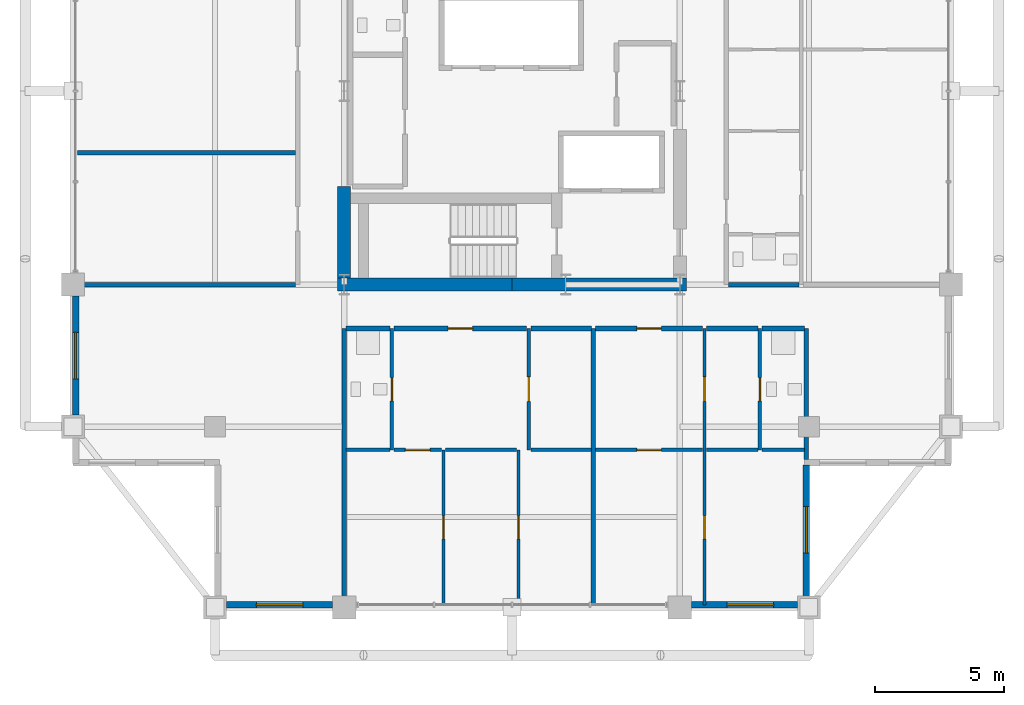
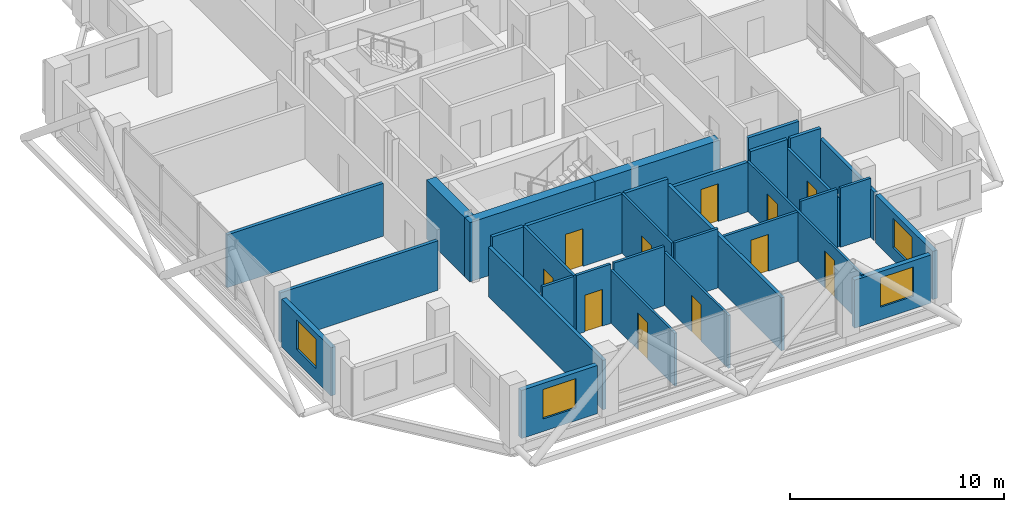
# One storey, part 19 of 24: 32 walls, 11 doors, 4 windows, 15 openings.
"""IFC4 building model written with IfcOpenShell, lengths in metres."""

from ifc_helpers import new_model, si_unit, direction, frame, frame_2d, origin, place, context, subcontext, project, spatial, rectangle, extrude, material, layer, layer_set, type_object, element, fill, save


model = new_model("IFC4")

# Units and contexts
model_context = context("Model", 3, precision=1e-05, world=origin(), true_north=direction((0.0, 1.0)))
body_context = subcontext(model_context, "Body", "Model", "MODEL_VIEW")
ifc_project = project(units=[si_unit("LENGTHUNIT", "METRE"), si_unit("AREAUNIT", "SQUARE_METRE"), si_unit("VOLUMEUNIT", "CUBIC_METRE"), si_unit("PLANEANGLEUNIT", "RADIAN"), si_unit("MASSUNIT", "GRAM", prefix="KILO")], contexts=[model_context])

# Site, building, storey
site_placement = place(None, origin())
site = spatial("IfcSite", under=ifc_project, at=site_placement, CompositionType="ELEMENT")
building_placement = place(site_placement, origin())
building = spatial("IfcBuilding", under=site, at=building_placement, Name="Barlavira Tower and Art Museum", CompositionType="ELEMENT")
storey_placement = place(building_placement, frame((0.0, 0.0, 240.300048828125)))
storey = spatial("IfcBuildingStorey", under=building, at=storey_placement, Name="L62", CompositionType="ELEMENT", Elevation=240.300048828125)

# Wall, opening, door
ifc_material_1 = material(Name="Gypsum acoustic stud partition", Category="gypsum")
ifc_layer_1 = layer(ifc_material_1, 0.1201171875, Name="Gypsum acoustic stud partition")
ifc_layer_set_1 = layer_set([ifc_layer_1], Name="Gypsum acoustic stud partition")
wall_type_1 = type_object("IfcWallType", Name="Apartment Internal Acoustic Partition 120", PredefinedType="PARTITIONING", material=ifc_layer_set_1)
wall_1_placement = place(storey_placement, frame((-2.64990234375, -19.89990234375, 0.0), z_axis=(0.0, 0.0, 1.0), x_axis=(0.0, 1.0, 0.0)))
wall_1 = element("IfcWall", 1, at=wall_1_placement, inside=storey, type_object=wall_type_1, Name="L62 Partition Wall 9", PredefinedType="PARTITIONING", context=body_context, shape_type="SweptSolid", body=[
    extrude(rectangle(XDim=6.0, YDim=0.1201171875, at=frame_2d((3.0, 0.0))), origin(), (0.0, 0.0, 1.0), 3.01806640625),
])
opening_1_placement = place(wall_1_placement, frame((2.550048828125, 0.0, 0.0)))
opening_1 = element("IfcOpeningElement", 2, at=opening_1_placement, cuts=wall_1, Name="Opening D-01", PredefinedType="OPENING", context=body_context, shape_type="SweptSolid", body=[
    extrude(rectangle(XDim=0.89990234375, YDim=2.10009765625, at=frame_2d((0.449951171875, 1.050048828125))), frame((0.0, 0.070068359375, 0.0), z_axis=(0.0, -1.0, 0.0), x_axis=(1.0, 0.0, 0.0)), (0.0, 0.0, 1.0), 0.14013671875),
])
ifc_material_2 = material(Name="Engineered coastal hardwood", Category="wood")
door_type_1 = type_object("IfcDoorType", Name="Internal Bedroom Timber Flush Door 900x2100", OperationType="NOTDEFINED", PredefinedType="DOOR", material=ifc_material_2)
door_1_placement = place(opening_1_placement, origin())
door_1 = element("IfcDoor", 3, at=door_1_placement, inside=storey, type_object=door_type_1, Name="Apartment S1 Bedroom 1 Door", OperationType="SINGLE_SWING_LEFT", OverallHeight=2.10009765625, OverallWidth=0.89990234375, PredefinedType="DOOR", context=body_context, shape_type="SweptSolid", body=[
    extrude(rectangle(XDim=0.89990234375, YDim=2.10009765625, at=frame_2d((0.449951171875, 1.050048828125))), frame((0.0, 0.02490234375, 0.0), z_axis=(0.0, -1.0, 0.0), x_axis=(1.0, 0.0, 0.0)), (0.0, 0.0, 1.0), 0.050048828125),
])
fill(opening_1, door_1)

wall_2_placement = place(storey_placement, frame((0.25, -19.89990234375, 0.0), z_axis=(0.0, 0.0, 1.0), x_axis=(0.0, 1.0, 0.0)))
wall_2 = element("IfcWall", 4, at=wall_2_placement, inside=storey, type_object=wall_type_1, Name="L62 Partition Wall 11", PredefinedType="PARTITIONING", context=body_context, shape_type="SweptSolid", body=[
    extrude(rectangle(XDim=6.0, YDim=0.1201171875, at=frame_2d((3.0, 0.0))), origin(), (0.0, 0.0, 1.0), 3.01806640625),
])
opening_2_placement = place(wall_2_placement, frame((2.550048828125, 0.0, 0.0)))
opening_2 = element("IfcOpeningElement", 5, at=opening_2_placement, cuts=wall_2, Name="Opening D-01", PredefinedType="OPENING", context=body_context, shape_type="SweptSolid", body=[
    extrude(rectangle(XDim=0.89990234375, YDim=2.10009765625, at=frame_2d((0.449951171875, 1.050048828125))), frame((0.0, 0.070068359375, 0.0), z_axis=(0.0, -1.0, 0.0), x_axis=(1.0, 0.0, 0.0)), (0.0, 0.0, 1.0), 0.14013671875),
])
door_2_placement = place(opening_2_placement, origin())
door_2 = element("IfcDoor", 6, at=door_2_placement, inside=storey, type_object=door_type_1, Name="Apartment S1 Bedroom 2 Door", OperationType="SINGLE_SWING_RIGHT", OverallHeight=2.10009765625, OverallWidth=0.89990234375, PredefinedType="DOOR", context=body_context, shape_type="SweptSolid", body=[
    extrude(rectangle(XDim=0.89990234375, YDim=2.10009765625, at=frame_2d((0.449951171875, 1.050048828125))), frame((0.0, 0.02490234375, 0.0), z_axis=(0.0, -1.0, 0.0), x_axis=(1.0, 0.0, 0.0)), (0.0, 0.0, 1.0), 0.050048828125),
])
fill(opening_2, door_2)

wall_3_placement = place(storey_placement, frame((0.64990234375, -13.89990234375, 0.0), z_axis=(0.0, 0.0, 1.0), x_axis=(0.0, 1.0, 0.0)))
wall_3 = element("IfcWall", 7, at=wall_3_placement, inside=storey, type_object=wall_type_1, Name="L62 Partition Wall 13", PredefinedType="PARTITIONING", context=body_context, shape_type="SweptSolid", body=[
    extrude(rectangle(XDim=4.699951171875, YDim=0.1201171875, at=frame_2d((2.35009765625, 0.0))), origin(), (0.0, 0.0, 1.0), 3.3798828125),
])
opening_3_placement = place(wall_3_placement, frame((1.875, 0.0, 0.0)))
opening_3 = element("IfcOpeningElement", 8, at=opening_3_placement, cuts=wall_3, Name="Opening D-02", PredefinedType="OPENING", context=body_context, shape_type="SweptSolid", body=[
    extrude(rectangle(XDim=0.949951171875, YDim=2.10009765625, at=frame_2d((0.47509765625, 1.050048828125))), frame((0.0, 0.070068359375, 0.0), z_axis=(0.0, -1.0, 0.0), x_axis=(1.0, 0.0, 0.0)), (0.0, 0.0, 1.0), 0.14013671875),
])
door_type_2 = type_object("IfcDoorType", Name="Living and Salon Glazed-Leaf Door 950x2100", OperationType="NOTDEFINED", PredefinedType="DOOR", material=ifc_material_2)
door_3_placement = place(opening_3_placement, origin())
door_3 = element("IfcDoor", 9, at=door_3_placement, inside=storey, type_object=door_type_2, Name="Apartment S1 Kitchen Door", OperationType="SINGLE_SWING_LEFT", OverallHeight=2.10009765625, OverallWidth=0.949951171875, PredefinedType="DOOR", context=body_context, shape_type="SweptSolid", body=[
    extrude(rectangle(XDim=0.949951171875, YDim=2.10009765625, at=frame_2d((0.47509765625, 1.050048828125))), frame((0.0, 0.02490234375, 0.0), z_axis=(0.0, -1.0, 0.0), x_axis=(1.0, 0.0, 0.0)), (0.0, 0.0, 1.0), 0.050048828125),
])
fill(opening_3, door_3)

# Wall, openings, doors
wall_4_placement = place(storey_placement, frame((7.449951171875, -19.89990234375, 0.0), z_axis=(0.0, 0.0, 1.0), x_axis=(0.0, 1.0, 0.0)))
wall_4 = element("IfcWall", 10, at=wall_4_placement, inside=storey, type_object=wall_type_1, Name="L62 Partition Wall 20", PredefinedType="PARTITIONING", context=body_context, shape_type="SweptSolid", body=[
    extrude(rectangle(XDim=10.699951171875, YDim=0.1201171875, at=frame_2d((5.35009765625, 0.0))), origin(), (0.0, 0.0, 1.0), 2.825927734375),
])
opening_4_placement = place(wall_4_placement, frame((7.875, 0.0, 0.0)))
opening_4 = element("IfcOpeningElement", 11, at=opening_4_placement, cuts=wall_4, Name="Opening D-02", PredefinedType="OPENING", context=body_context, shape_type="SweptSolid", body=[
    extrude(rectangle(XDim=0.949951171875, YDim=2.10009765625, at=frame_2d((0.47509765625, 1.050048828125))), frame((0.0, 0.070068359375, 0.0), z_axis=(0.0, -1.0, 0.0), x_axis=(1.0, 0.0, 0.0)), (0.0, 0.0, 1.0), 0.14013671875),
])
opening_5_placement = place(wall_4_placement, frame((2.550048828125, 0.0, 0.0)))
opening_5 = element("IfcOpeningElement", 12, at=opening_5_placement, cuts=wall_4, Name="Opening D-01", PredefinedType="OPENING", context=body_context, shape_type="SweptSolid", body=[
    extrude(rectangle(XDim=0.89990234375, YDim=2.10009765625, at=frame_2d((0.449951171875, 1.050048828125))), frame((0.0, 0.070068359375, 0.0), z_axis=(0.0, -1.0, 0.0), x_axis=(1.0, 0.0, 0.0)), (0.0, 0.0, 1.0), 0.14013671875),
])
door_4_placement = place(opening_5_placement, origin())
door_4 = element("IfcDoor", 13, at=door_4_placement, inside=storey, type_object=door_type_1, Name="Apartment S2 Bedroom 1 Door", OperationType="SINGLE_SWING_LEFT", OverallHeight=2.10009765625, OverallWidth=0.89990234375, PredefinedType="DOOR", context=body_context, shape_type="SweptSolid", body=[
    extrude(rectangle(XDim=0.89990234375, YDim=2.10009765625, at=frame_2d((0.449951171875, 1.050048828125))), frame((0.0, 0.02490234375, 0.0), z_axis=(0.0, -1.0, 0.0), x_axis=(1.0, 0.0, 0.0)), (0.0, 0.0, 1.0), 0.050048828125),
])
fill(opening_5, door_4)
door_5_placement = place(opening_4_placement, origin())
door_5 = element("IfcDoor", 14, at=door_5_placement, inside=storey, type_object=door_type_2, Name="Apartment S2 Kitchen Door", OperationType="SINGLE_SWING_RIGHT", OverallHeight=2.10009765625, OverallWidth=0.949951171875, PredefinedType="DOOR", context=body_context, shape_type="SweptSolid", body=[
    extrude(rectangle(XDim=0.949951171875, YDim=2.10009765625, at=frame_2d((0.47509765625, 1.050048828125))), frame((0.0, 0.02490234375, 0.0), z_axis=(0.0, -1.0, 0.0), x_axis=(1.0, 0.0, 0.0)), (0.0, 0.0, 1.0), 0.050048828125),
])
fill(opening_4, door_5)

# Walls
ifc_material_3 = material(Name="Concrete C60", Category="concrete")
ifc_layer_2 = layer(ifc_material_3, 0.5, Name="Concrete C60")
ifc_layer_set_2 = layer_set([ifc_layer_2], Name="Concrete C60")
wall_type_2 = type_object("IfcWallType", Name="Core Structural Shear Wall 500 Concrete C60", PredefinedType="SHEAR", material=ifc_layer_set_2)
for number, where, z_axis, x_axis, name in (
    (15, (-6.75, -7.5, 0.0), (0.0, 0.0, 1.0), (1.0, 0.0, 0.0), "L62 Core Shear Wall CS-SW"),
    (16, (0.0, -7.5, 0.0), (0.0, 0.0, 1.0), (1.0, 0.0, 0.0), "L62 Core Shear Wall CS-SE"),
):
    element("IfcWall", number, at=place(storey_placement, frame(where, z_axis=z_axis, x_axis=x_axis)), inside=storey, type_object=wall_type_2, Name=name, PredefinedType="SHEAR", context=body_context, shape_type="SweptSolid", body=[
        extrude(rectangle(XDim=6.75, YDim=0.5, at=frame_2d((3.375, 0.0))), origin(), (0.0, 0.0, 1.0), 3.3798828125),
    ])
wall_5_placement = place(storey_placement, frame((-6.5, -7.25, 0.0), z_axis=(0.0, 0.0, 1.0), x_axis=(0.0, 1.0, 0.0)))
element("IfcWall", 17, at=wall_5_placement, inside=storey, type_object=wall_type_2, Name="L62 Core Shear Wall CS-W1", PredefinedType="SHEAR", context=body_context, shape_type="SweptSolid", body=[
    extrude(rectangle(XDim=3.550048828125, YDim=0.5, at=frame_2d((1.77490234375, 0.0))), origin(), (0.0, 0.0, 1.0), 3.3798828125),
])
ifc_layer_3 = layer(ifc_material_1, 0.179931640625, Name="Gypsum acoustic stud partition")
ifc_layer_set_3 = layer_set([ifc_layer_3], Name="Gypsum acoustic stud partition")
wall_type_3 = type_object("IfcWallType", Name="Inter-Tenancy Party Partition Wall 180", PredefinedType="PARTITIONING", material=ifc_layer_set_3)
wall_6_placement = place(storey_placement, frame((-6.5, -19.89990234375, 0.0), z_axis=(0.0, 0.0, 1.0), x_axis=(0.0, 1.0, 0.0)))
element("IfcWall", 18, at=wall_6_placement, inside=storey, type_object=wall_type_3, Name="L62 Partition Wall 2", PredefinedType="PARTITIONING", context=body_context, shape_type="SweptSolid", body=[
    extrude(rectangle(XDim=10.699951171875, YDim=0.179931640625, at=frame_2d((5.35009765625, 0.0))), origin(), (0.0, 0.0, 1.0), 2.825927734375),
])
wall_7_placement = place(storey_placement, frame((3.14990234375, -19.89990234375, 0.0), z_axis=(0.0, 0.0, 1.0), x_axis=(0.0, 1.0, 0.0)))
element("IfcWall", 19, at=wall_7_placement, inside=storey, type_object=wall_type_3, Name="L62 Partition Wall 15", PredefinedType="PARTITIONING", context=body_context, shape_type="SweptSolid", body=[
    extrude(rectangle(XDim=10.699951171875, YDim=0.179931640625, at=frame_2d((5.35009765625, 0.0))), origin(), (0.0, 0.0, 1.0), 3.01806640625),
])
wall_8_placement = place(storey_placement, frame((11.39990234375, -14.27001953125, 0.0), z_axis=(0.0, 0.0, 1.0), x_axis=(0.0, 1.0, 0.0)))
element("IfcWall", 20, at=wall_8_placement, inside=storey, type_object=wall_type_3, Name="L62 Partition Wall 25", PredefinedType="PARTITIONING", context=body_context, shape_type="SweptSolid", body=[
    extrude(rectangle(XDim=5.070068359375, YDim=0.179931640625, at=frame_2d((2.53515625, 0.0))), origin(), (0.0, 0.0, 1.0), 2.748046875),
])
wall_9_placement = place(storey_placement, frame((-6.419921875, -9.199951171875, 0.0), z_axis=(0.0, 0.0, 1.0), x_axis=(1.0, 0.0, 0.0)))
element("IfcWall", 21, at=wall_9_placement, inside=storey, type_object=wall_type_3, Name="L62 Partition Wall 34", PredefinedType="PARTITIONING", context=body_context, shape_type="SweptSolid", body=[
    extrude(rectangle(XDim=1.68994140625, YDim=0.179931640625, at=frame_2d((0.844970703125, 0.0))), origin(), (0.0, 0.0, 1.0), 3.3798828125),
])

# Wall, opening, door
wall_10_placement = place(storey_placement, frame((-4.570068359375, -9.199951171875, 0.0), z_axis=(0.0, 0.0, 1.0), x_axis=(1.0, 0.0, 0.0)))
wall_10 = element("IfcWall", 22, at=wall_10_placement, inside=storey, type_object=wall_type_3, Name="L62 Partition Wall 35", PredefinedType="PARTITIONING", context=body_context, shape_type="SweptSolid", body=[
    extrude(rectangle(XDim=5.14013671875, YDim=0.179931640625, at=frame_2d((2.570068359375, 0.0))), origin(), (0.0, 0.0, 1.0), 3.3798828125),
])
opening_6_placement = place(wall_10_placement, frame((2.094970703125, 0.0, 0.0)))
opening_6 = element("IfcOpeningElement", 23, at=opening_6_placement, cuts=wall_10, Name="Opening FD-60", PredefinedType="OPENING", context=body_context, shape_type="SweptSolid", body=[
    extrude(rectangle(XDim=0.949951171875, YDim=2.14990234375, at=frame_2d((0.47509765625, 1.074951171875))), frame((0.0, 0.10009765625, 0.0), z_axis=(0.0, -1.0, 0.0), x_axis=(1.0, 0.0, 0.0)), (0.0, 0.0, 1.0), 0.199951171875),
])
ifc_material_4 = material(Name="Brushed stainless steel", Category="steel")
door_type_3 = type_object("IfcDoorType", Name="Apartment Entrance and Riser Fire Door 950x2150 FD60S", OperationType="NOTDEFINED", PredefinedType="DOOR", material=ifc_material_4)
door_6_placement = place(opening_6_placement, origin())
door_6 = element("IfcDoor", 24, at=door_6_placement, inside=storey, type_object=door_type_3, Name="Apartment Entrance Hall S1 Door", OperationType="SINGLE_SWING_RIGHT", OverallHeight=2.14990234375, OverallWidth=0.949951171875, PredefinedType="DOOR", context=body_context, shape_type="SweptSolid", body=[
    extrude(rectangle(XDim=0.949951171875, YDim=2.14990234375, at=frame_2d((0.47509765625, 1.074951171875))), frame((0.0, 0.02490234375, 0.0), z_axis=(0.0, -1.0, 0.0), x_axis=(1.0, 0.0, 0.0)), (0.0, 0.0, 1.0), 0.050048828125),
])
fill(opening_6, door_6)

# Wall
wall_11_placement = place(storey_placement, frame((0.72998046875, -9.199951171875, 0.0), z_axis=(0.0, 0.0, 1.0), x_axis=(1.0, 0.0, 0.0)))
element("IfcWall", 25, at=wall_11_placement, inside=storey, type_object=wall_type_3, Name="L62 Partition Wall 36", PredefinedType="PARTITIONING", context=body_context, shape_type="SweptSolid", body=[
    extrude(rectangle(XDim=2.340087890625, YDim=0.179931640625, at=frame_2d((1.169921875, 0.0))), origin(), (0.0, 0.0, 1.0), 3.3798828125),
])

# Wall, opening, door
wall_12_placement = place(storey_placement, frame((3.22998046875, -9.199951171875, 0.0), z_axis=(0.0, 0.0, 1.0), x_axis=(1.0, 0.0, 0.0)))
wall_12 = element("IfcWall", 26, at=wall_12_placement, inside=storey, type_object=wall_type_3, Name="L62 Partition Wall 37", PredefinedType="PARTITIONING", context=body_context, shape_type="SweptSolid", body=[
    extrude(rectangle(XDim=4.14013671875, YDim=0.179931640625, at=frame_2d((2.070068359375, 0.0))), origin(), (0.0, 0.0, 1.0), 2.825927734375),
])
opening_7_placement = place(wall_12_placement, frame((1.60498046875, 0.0, 0.0)))
opening_7 = element("IfcOpeningElement", 27, at=opening_7_placement, cuts=wall_12, Name="Opening FD-60", PredefinedType="OPENING", context=body_context, shape_type="SweptSolid", body=[
    extrude(rectangle(XDim=0.949951171875, YDim=2.14990234375, at=frame_2d((0.47509765625, 1.074951171875))), frame((0.0, 0.10009765625, 0.0), z_axis=(0.0, -1.0, 0.0), x_axis=(1.0, 0.0, 0.0)), (0.0, 0.0, 1.0), 0.199951171875),
])
door_7_placement = place(opening_7_placement, origin())
door_7 = element("IfcDoor", 28, at=door_7_placement, inside=storey, type_object=door_type_3, Name="Apartment Entrance Hall S2 Door", OperationType="SINGLE_SWING_LEFT", OverallHeight=2.14990234375, OverallWidth=0.949951171875, PredefinedType="DOOR", context=body_context, shape_type="SweptSolid", body=[
    extrude(rectangle(XDim=0.949951171875, YDim=2.14990234375, at=frame_2d((0.47509765625, 1.074951171875))), frame((0.0, 0.02490234375, 0.0), z_axis=(0.0, -1.0, 0.0), x_axis=(1.0, 0.0, 0.0)), (0.0, 0.0, 1.0), 0.050048828125),
])
fill(opening_7, door_7)

# Walls
wall_13_placement = place(storey_placement, frame((7.530029296875, -9.199951171875, 0.0), z_axis=(0.0, 0.0, 1.0), x_axis=(1.0, 0.0, 0.0)))
element("IfcWall", 29, at=wall_13_placement, inside=storey, type_object=wall_type_3, Name="L62 Partition Wall 38", PredefinedType="PARTITIONING", context=body_context, shape_type="SweptSolid", body=[
    extrude(rectangle(XDim=1.989990234375, YDim=0.179931640625, at=frame_2d((0.9951171875, 0.0))), origin(), (0.0, 0.0, 1.0), 3.3798828125),
])
wall_14_placement = place(storey_placement, frame((9.679931640625, -9.199951171875, 0.0), z_axis=(0.0, 0.0, 1.0), x_axis=(1.0, 0.0, 0.0)))
element("IfcWall", 30, at=wall_14_placement, inside=storey, type_object=wall_type_3, Name="L62 Partition Wall 39", PredefinedType="PARTITIONING", context=body_context, shape_type="SweptSolid", body=[
    extrude(rectangle(XDim=1.64013671875, YDim=0.179931640625, at=frame_2d((0.820068359375, 0.0))), origin(), (0.0, 0.0, 1.0), 3.3798828125),
])
wall_15_placement = place(storey_placement, frame((-16.89990234375, -7.5, 0.0), z_axis=(0.0, 0.0, 1.0), x_axis=(1.0, 0.0, 0.0)))
element("IfcWall", 31, at=wall_15_placement, inside=storey, type_object=wall_type_3, Name="L62 Partition Wall 40", PredefinedType="PARTITIONING", context=body_context, shape_type="SweptSolid", body=[
    extrude(rectangle(XDim=8.52001953125, YDim=0.179931640625, at=frame_2d((4.260009765625, 0.0))), origin(), (0.0, 0.0, 1.0), 2.825927734375),
])
wall_16_placement = place(storey_placement, frame((8.3798828125, -7.5, 0.0), z_axis=(0.0, 0.0, 1.0), x_axis=(1.0, 0.0, 0.0)))
element("IfcWall", 32, at=wall_16_placement, inside=storey, type_object=wall_type_3, Name="L62 Partition Wall 41", PredefinedType="PARTITIONING", context=body_context, shape_type="SweptSolid", body=[
    extrude(rectangle(XDim=2.740234375, YDim=0.179931640625, at=frame_2d((1.3701171875, 0.0))), origin(), (0.0, 0.0, 1.0), 2.825927734375),
])
wall_17_placement = place(storey_placement, frame((-16.820068359375, -2.39990234375, 0.0), z_axis=(0.0, 0.0, 1.0), x_axis=(1.0, 0.0, 0.0)))
element("IfcWall", 33, at=wall_17_placement, inside=storey, type_object=wall_type_3, Name="L62 Partition Wall 45", PredefinedType="PARTITIONING", context=body_context, shape_type="SweptSolid", body=[
    extrude(rectangle(XDim=8.440185546875, YDim=0.179931640625, at=frame_2d((4.22021484375, 0.0))), origin(), (0.0, 0.0, 1.0), 3.01806640625),
])

# Wall, opening, door
ifc_layer_4 = layer(ifc_material_1, 0.139892578125, Name="Gypsum acoustic stud partition")
ifc_layer_set_4 = layer_set([ifc_layer_4], Name="Gypsum acoustic stud partition")
wall_type_4 = type_object("IfcWallType", Name="Moisture-Resistant Bathroom Partition 140", PredefinedType="PARTITIONING", material=ifc_layer_set_4)
wall_18_placement = place(storey_placement, frame((-4.64990234375, -13.89990234375, 0.0), z_axis=(0.0, 0.0, 1.0), x_axis=(0.0, 1.0, 0.0)))
wall_18 = element("IfcWall", 34, at=wall_18_placement, inside=storey, type_object=wall_type_4, Name="L62 Partition Wall 6", PredefinedType="PARTITIONING", context=body_context, shape_type="SweptSolid", body=[
    extrude(rectangle(XDim=4.699951171875, YDim=0.139892578125, at=frame_2d((2.35009765625, 0.0))), origin(), (0.0, 0.0, 1.0), 3.3798828125),
])
opening_8_placement = place(wall_18_placement, frame((1.89990234375, 0.0, 0.0)))
opening_8 = element("IfcOpeningElement", 35, at=opening_8_placement, cuts=wall_18, Name="Opening D-WC", PredefinedType="OPENING", context=body_context, shape_type="SweptSolid", body=[
    extrude(rectangle(XDim=0.89990234375, YDim=2.10009765625, at=frame_2d((0.449951171875, 1.050048828125))), frame((0.0, 0.080078125, 0.0), z_axis=(0.0, -1.0, 0.0), x_axis=(1.0, 0.0, 0.0)), (0.0, 0.0, 1.0), 0.159912109375),
])
door_type_4 = type_object("IfcDoorType", Name="Accessible Bathroom Flush Door 900x2100", OperationType="NOTDEFINED", PredefinedType="DOOR", material=ifc_material_2)
door_8_placement = place(opening_8_placement, origin())
door_8 = element("IfcDoor", 36, at=door_8_placement, inside=storey, type_object=door_type_4, Name="Apartment S1 Hall Bathroom Door", OperationType="SINGLE_SWING_LEFT", OverallHeight=2.10009765625, OverallWidth=0.89990234375, PredefinedType="DOOR", context=body_context, shape_type="SweptSolid", body=[
    extrude(rectangle(XDim=0.89990234375, YDim=2.10009765625, at=frame_2d((0.449951171875, 1.050048828125))), frame((0.0, 0.02490234375, 0.0), z_axis=(0.0, -1.0, 0.0), x_axis=(1.0, 0.0, 0.0)), (0.0, 0.0, 1.0), 0.050048828125),
])
fill(opening_8, door_8)

wall_19_placement = place(storey_placement, frame((9.60009765625, -13.89990234375, 0.0), z_axis=(0.0, 0.0, 1.0), x_axis=(0.0, 1.0, 0.0)))
wall_19 = element("IfcWall", 37, at=wall_19_placement, inside=storey, type_object=wall_type_4, Name="L62 Partition Wall 22", PredefinedType="PARTITIONING", context=body_context, shape_type="SweptSolid", body=[
    extrude(rectangle(XDim=4.699951171875, YDim=0.139892578125, at=frame_2d((2.35009765625, 0.0))), origin(), (0.0, 0.0, 1.0), 2.825927734375),
])
opening_9_placement = place(wall_19_placement, frame((1.89990234375, 0.0, 0.0)))
opening_9 = element("IfcOpeningElement", 38, at=opening_9_placement, cuts=wall_19, Name="Opening D-WC", PredefinedType="OPENING", context=body_context, shape_type="SweptSolid", body=[
    extrude(rectangle(XDim=0.89990234375, YDim=2.10009765625, at=frame_2d((0.449951171875, 1.050048828125))), frame((0.0, 0.080078125, 0.0), z_axis=(0.0, -1.0, 0.0), x_axis=(1.0, 0.0, 0.0)), (0.0, 0.0, 1.0), 0.159912109375),
])
door_9_placement = place(opening_9_placement, origin())
door_9 = element("IfcDoor", 39, at=door_9_placement, inside=storey, type_object=door_type_4, Name="Apartment S2 Hall Bathroom Door", OperationType="SINGLE_SWING_LEFT", OverallHeight=2.10009765625, OverallWidth=0.89990234375, PredefinedType="DOOR", context=body_context, shape_type="SweptSolid", body=[
    extrude(rectangle(XDim=0.89990234375, YDim=2.10009765625, at=frame_2d((0.449951171875, 1.050048828125))), frame((0.0, 0.02490234375, 0.0), z_axis=(0.0, -1.0, 0.0), x_axis=(1.0, 0.0, 0.0)), (0.0, 0.0, 1.0), 0.050048828125),
])
fill(opening_9, door_9)

# Wall
wall_20_placement = place(storey_placement, frame((-6.419921875, -13.89990234375, 0.0), z_axis=(0.0, 0.0, 1.0), x_axis=(1.0, 0.0, 0.0)))
element("IfcWall", 40, at=wall_20_placement, inside=storey, type_object=wall_type_4, Name="L62 Partition Wall 27", PredefinedType="PARTITIONING", context=body_context, shape_type="SweptSolid", body=[
    extrude(rectangle(XDim=1.68994140625, YDim=0.139892578125, at=frame_2d((0.844970703125, 0.0))), origin(), (0.0, 0.0, 1.0), 3.3798828125),
])

# Wall, opening, door
wall_21_placement = place(storey_placement, frame((-4.570068359375, -13.89990234375, 0.0), z_axis=(0.0, 0.0, 1.0), x_axis=(1.0, 0.0, 0.0)))
wall_21 = element("IfcWall", 41, at=wall_21_placement, inside=storey, type_object=wall_type_4, Name="L62 Partition Wall 28", PredefinedType="PARTITIONING", context=body_context, shape_type="SweptSolid", body=[
    extrude(rectangle(XDim=1.840087890625, YDim=0.139892578125, at=frame_2d((0.919921875, 0.0))), origin(), (0.0, 0.0, 1.0), 3.3798828125),
])
opening_10_placement = place(wall_21_placement, frame((0.445068359375, 0.0, 0.0)))
opening_10 = element("IfcOpeningElement", 42, at=opening_10_placement, cuts=wall_21, Name="Opening D-02", PredefinedType="OPENING", context=body_context, shape_type="SweptSolid", body=[
    extrude(rectangle(XDim=0.949951171875, YDim=2.10009765625, at=frame_2d((0.47509765625, 1.050048828125))), frame((0.0, 0.080078125, 0.0), z_axis=(0.0, -1.0, 0.0), x_axis=(1.0, 0.0, 0.0)), (0.0, 0.0, 1.0), 0.159912109375),
])
door_10_placement = place(opening_10_placement, origin())
door_10 = element("IfcDoor", 43, at=door_10_placement, inside=storey, type_object=door_type_2, Name="Apartment S1 Living Lounge Door", OperationType="SINGLE_SWING_RIGHT", OverallHeight=2.10009765625, OverallWidth=0.949951171875, PredefinedType="DOOR", context=body_context, shape_type="SweptSolid", body=[
    extrude(rectangle(XDim=0.949951171875, YDim=2.10009765625, at=frame_2d((0.47509765625, 1.050048828125))), frame((0.0, 0.02490234375, 0.0), z_axis=(0.0, -1.0, 0.0), x_axis=(1.0, 0.0, 0.0)), (0.0, 0.0, 1.0), 0.050048828125),
])
fill(opening_10, door_10)

# Walls
wall_22_placement = place(storey_placement, frame((-2.570068359375, -13.89990234375, 0.0), z_axis=(0.0, 0.0, 1.0), x_axis=(1.0, 0.0, 0.0)))
element("IfcWall", 44, at=wall_22_placement, inside=storey, type_object=wall_type_4, Name="L62 Partition Wall 29", PredefinedType="PARTITIONING", context=body_context, shape_type="SweptSolid", body=[
    extrude(rectangle(XDim=2.739990234375, YDim=0.139892578125, at=frame_2d((1.3701171875, 0.0))), origin(), (0.0, 0.0, 1.0), 3.3798828125),
])
wall_23_placement = place(storey_placement, frame((0.72998046875, -13.89990234375, 0.0), z_axis=(0.0, 0.0, 1.0), x_axis=(1.0, 0.0, 0.0)))
element("IfcWall", 45, at=wall_23_placement, inside=storey, type_object=wall_type_4, Name="L62 Partition Wall 30", PredefinedType="PARTITIONING", context=body_context, shape_type="SweptSolid", body=[
    extrude(rectangle(XDim=2.340087890625, YDim=0.139892578125, at=frame_2d((1.169921875, 0.0))), origin(), (0.0, 0.0, 1.0), 3.3798828125),
])

# Wall, opening, door
wall_24_placement = place(storey_placement, frame((3.22998046875, -13.89990234375, 0.0), z_axis=(0.0, 0.0, 1.0), x_axis=(1.0, 0.0, 0.0)))
wall_24 = element("IfcWall", 46, at=wall_24_placement, inside=storey, type_object=wall_type_4, Name="L62 Partition Wall 31", PredefinedType="PARTITIONING", context=body_context, shape_type="SweptSolid", body=[
    extrude(rectangle(XDim=4.14013671875, YDim=0.139892578125, at=frame_2d((2.070068359375, 0.0))), origin(), (0.0, 0.0, 1.0), 2.825927734375),
])
opening_11_placement = place(wall_24_placement, frame((1.60498046875, 0.0, 0.0)))
opening_11 = element("IfcOpeningElement", 47, at=opening_11_placement, cuts=wall_24, Name="Opening D-02", PredefinedType="OPENING", context=body_context, shape_type="SweptSolid", body=[
    extrude(rectangle(XDim=0.949951171875, YDim=2.10009765625, at=frame_2d((0.47509765625, 1.050048828125))), frame((0.0, 0.080078125, 0.0), z_axis=(0.0, -1.0, 0.0), x_axis=(1.0, 0.0, 0.0)), (0.0, 0.0, 1.0), 0.159912109375),
])
door_11_placement = place(opening_11_placement, origin())
door_11 = element("IfcDoor", 48, at=door_11_placement, inside=storey, type_object=door_type_2, Name="Apartment S2 Living Lounge Door", OperationType="SINGLE_SWING_RIGHT", OverallHeight=2.10009765625, OverallWidth=0.949951171875, PredefinedType="DOOR", context=body_context, shape_type="SweptSolid", body=[
    extrude(rectangle(XDim=0.949951171875, YDim=2.10009765625, at=frame_2d((0.47509765625, 1.050048828125))), frame((0.0, 0.02490234375, 0.0), z_axis=(0.0, -1.0, 0.0), x_axis=(1.0, 0.0, 0.0)), (0.0, 0.0, 1.0), 0.050048828125),
])
fill(opening_11, door_11)

# Walls
wall_25_placement = place(storey_placement, frame((7.530029296875, -13.89990234375, 0.0), z_axis=(0.0, 0.0, 1.0), x_axis=(1.0, 0.0, 0.0)))
element("IfcWall", 49, at=wall_25_placement, inside=storey, type_object=wall_type_4, Name="L62 Partition Wall 32", PredefinedType="PARTITIONING", context=body_context, shape_type="SweptSolid", body=[
    extrude(rectangle(XDim=1.989990234375, YDim=0.139892578125, at=frame_2d((0.9951171875, 0.0))), origin(), (0.0, 0.0, 1.0), 3.3798828125),
])
wall_26_placement = place(storey_placement, frame((9.679931640625, -13.89990234375, 0.0), z_axis=(0.0, 0.0, 1.0), x_axis=(1.0, 0.0, 0.0)))
element("IfcWall", 50, at=wall_26_placement, inside=storey, type_object=wall_type_4, Name="L62 Partition Wall 33", PredefinedType="PARTITIONING", context=body_context, shape_type="SweptSolid", body=[
    extrude(rectangle(XDim=1.64013671875, YDim=0.139892578125, at=frame_2d((0.820068359375, 0.0))), origin(), (0.0, 0.0, 1.0), 3.3798828125),
])

# Wall, opening, window
ifc_material_5 = material(Name="Precast concrete C40", Category="concrete")
ifc_layer_5 = layer(ifc_material_5, 0.25, Name="Precast concrete C40")
ifc_layer_set_5 = layer_set([ifc_layer_5], Name="Precast concrete C40")
wall_type_5 = type_object("IfcWallType", Name="Notched Corner Spandrel Wall 250 Precast Concrete C40", PredefinedType="SOLIDWALL", material=ifc_layer_set_5)
wall_27_placement = place(storey_placement, frame((-11.054931640625, -19.89990234375, 0.0), z_axis=(0.0, 0.0, 1.0), x_axis=(1.0, 0.0, 0.0)))
wall_27 = element("IfcWall", 51, at=wall_27_placement, inside=storey, type_object=wall_type_5, Name="L62 Coastal Facade Pier Wall CW4-L62-S-1", PredefinedType="SOLIDWALL", context=body_context, shape_type="SweptSolid", body=[
    extrude(rectangle(XDim=4.10986328125, YDim=0.25, at=frame_2d((2.054931640625, 0.0))), origin(), (0.0, 0.0, 1.0), 2.748046875),
])
opening_12_placement = place(wall_27_placement, frame((1.155029296875, 0.0, 0.719970703125)))
opening_12 = element("IfcOpeningElement", 52, at=opening_12_placement, cuts=wall_27, Name="Opening WN-01", PredefinedType="OPENING", context=body_context, shape_type="SweptSolid", body=[
    extrude(rectangle(XDim=1.800048828125, YDim=1.679931640625, at=frame_2d((0.89990234375, 0.83984375))), frame((0.0, 0.135009765625, 0.0), z_axis=(0.0, -1.0, 0.0), x_axis=(1.0, 0.0, 0.0)), (0.0, 0.0, 1.0), 0.27001953125),
])
ifc_material_6 = material(Name="Low-iron coastal laminated glass", Category="glass")
window_type = type_object("IfcWindowType", Name="Recessed Notch Corner Punch Window 1800x1680", PartitioningType="SINGLE_PANEL", PredefinedType="WINDOW", material=ifc_material_6)
window_1_placement = place(opening_12_placement, origin())
window_1 = element("IfcWindow", 53, at=window_1_placement, inside=storey, type_object=window_type, Name="L62 Punched Facade Window EWP-CW4-L62-S-1-1", OverallHeight=1.679931640625, OverallWidth=1.800048828125, PartitioningType="SINGLE_PANEL", PredefinedType="WINDOW", context=body_context, shape_type="SweptSolid", body=[
    extrude(rectangle(XDim=1.800048828125, YDim=1.679931640625, at=frame_2d((0.89990234375, 0.83984375))), frame((0.0, 0.030029296875, 0.0), z_axis=(0.0, -1.0, 0.0), x_axis=(1.0, 0.0, 0.0)), (0.0, 0.0, 1.0), 0.06005859375),
])
fill(opening_12, window_1)

wall_28_placement = place(storey_placement, frame((6.945068359375, -19.89990234375, 0.0), z_axis=(0.0, 0.0, 1.0), x_axis=(1.0, 0.0, 0.0)))
wall_28 = element("IfcWall", 54, at=wall_28_placement, inside=storey, type_object=wall_type_5, Name="L62 Coastal Facade Pier Wall CW4-L62-S-3", PredefinedType="SOLIDWALL", context=body_context, shape_type="SweptSolid", body=[
    extrude(rectangle(XDim=4.10986328125, YDim=0.25, at=frame_2d((2.054931640625, 0.0))), origin(), (0.0, 0.0, 1.0), 2.748046875),
])
opening_13_placement = place(wall_28_placement, frame((1.389892578125, 0.0, 0.719970703125)))
opening_13 = element("IfcOpeningElement", 55, at=opening_13_placement, cuts=wall_28, Name="Opening WN-01", PredefinedType="OPENING", context=body_context, shape_type="SweptSolid", body=[
    extrude(rectangle(XDim=1.800048828125, YDim=1.679931640625, at=frame_2d((0.89990234375, 0.83984375))), frame((0.0, 0.135009765625, 0.0), z_axis=(0.0, -1.0, 0.0), x_axis=(1.0, 0.0, 0.0)), (0.0, 0.0, 1.0), 0.27001953125),
])
window_2_placement = place(opening_13_placement, origin())
window_2 = element("IfcWindow", 56, at=window_2_placement, inside=storey, type_object=window_type, Name="L62 Punched Facade Window EWP-CW4-L62-S-3-1", OverallHeight=1.679931640625, OverallWidth=1.800048828125, PartitioningType="SINGLE_PANEL", PredefinedType="WINDOW", context=body_context, shape_type="SweptSolid", body=[
    extrude(rectangle(XDim=1.800048828125, YDim=1.679931640625, at=frame_2d((0.89990234375, 0.83984375))), frame((0.0, 0.030029296875, 0.0), z_axis=(0.0, -1.0, 0.0), x_axis=(1.0, 0.0, 0.0)), (0.0, 0.0, 1.0), 0.06005859375),
])
fill(opening_13, window_2)

wall_29_placement = place(storey_placement, frame((-16.89990234375, -7.945068359375, 0.0), z_axis=(0.0, 0.0, 1.0), x_axis=(0.0, -1.0, 0.0)))
wall_29 = element("IfcWall", 57, at=wall_29_placement, inside=storey, type_object=wall_type_5, Name="L62 Coastal Facade Pier Wall CW4-L62-W-4", PredefinedType="SOLIDWALL", context=body_context, shape_type="SweptSolid", body=[
    extrude(rectangle(XDim=4.60986328125, YDim=0.25, at=frame_2d((2.304931640625, 0.0))), origin(), (0.0, 0.0, 1.0), 2.748046875),
])
opening_14_placement = place(wall_29_placement, frame((1.405029296875, 0.0, 0.719970703125)))
opening_14 = element("IfcOpeningElement", 58, at=opening_14_placement, cuts=wall_29, Name="Opening WN-01", PredefinedType="OPENING", context=body_context, shape_type="SweptSolid", body=[
    extrude(rectangle(XDim=1.800048828125, YDim=1.679931640625, at=frame_2d((0.89990234375, 0.83984375))), frame((0.0, 0.135009765625, 0.0), z_axis=(0.0, -1.0, 0.0), x_axis=(1.0, 0.0, 0.0)), (0.0, 0.0, 1.0), 0.27001953125),
])
window_3_placement = place(opening_14_placement, origin())
window_3 = element("IfcWindow", 59, at=window_3_placement, inside=storey, type_object=window_type, Name="L62 Punched Facade Window EWP-CW4-L62-W-4-1", OverallHeight=1.679931640625, OverallWidth=1.800048828125, PartitioningType="SINGLE_PANEL", PredefinedType="WINDOW", context=body_context, shape_type="SweptSolid", body=[
    extrude(rectangle(XDim=1.800048828125, YDim=1.679931640625, at=frame_2d((0.89990234375, 0.83984375))), frame((0.0, 0.030029296875, 0.0), z_axis=(0.0, -1.0, 0.0), x_axis=(1.0, 0.0, 0.0)), (0.0, 0.0, 1.0), 0.06005859375),
])
fill(opening_14, window_3)

wall_30_placement = place(storey_placement, frame((11.39990234375, -19.820068359375, 0.0), z_axis=(0.0, 0.0, 1.0), x_axis=(0.0, 1.0, 0.0)))
wall_30 = element("IfcWall", 60, at=wall_30_placement, inside=storey, type_object=wall_type_5, Name="L62 Notch Corner Wall SE1", PredefinedType="SOLIDWALL", context=body_context, shape_type="SweptSolid", body=[
    extrude(rectangle(XDim=5.340087890625, YDim=0.25, at=frame_2d((2.669921875, 0.0))), origin(), (0.0, 0.0, 1.0), 2.748046875),
])
opening_15_placement = place(wall_30_placement, frame((1.925048828125, 0.0, 0.719970703125)))
opening_15 = element("IfcOpeningElement", 61, at=opening_15_placement, cuts=wall_30, Name="Opening WN-01", PredefinedType="OPENING", context=body_context, shape_type="SweptSolid", body=[
    extrude(rectangle(XDim=1.800048828125, YDim=1.679931640625, at=frame_2d((0.89990234375, 0.83984375))), frame((0.0, 0.135009765625, 0.0), z_axis=(0.0, -1.0, 0.0), x_axis=(1.0, 0.0, 0.0)), (0.0, 0.0, 1.0), 0.27001953125),
])
window_4_placement = place(opening_15_placement, origin())
window_4 = element("IfcWindow", 62, at=window_4_placement, inside=storey, type_object=window_type, Name="L62 Punched Facade Window EW-NTC-L62-SE1-1", OverallHeight=1.679931640625, OverallWidth=1.800048828125, PartitioningType="SINGLE_PANEL", PredefinedType="WINDOW", context=body_context, shape_type="SweptSolid", body=[
    extrude(rectangle(XDim=1.800048828125, YDim=1.679931640625, at=frame_2d((0.89990234375, 0.83984375))), frame((0.0, 0.030029296875, 0.0), z_axis=(0.0, -1.0, 0.0), x_axis=(1.0, 0.0, 0.0)), (0.0, 0.0, 1.0), 0.06005859375),
])
fill(opening_15, window_4)

save(model, "model.ifc")
